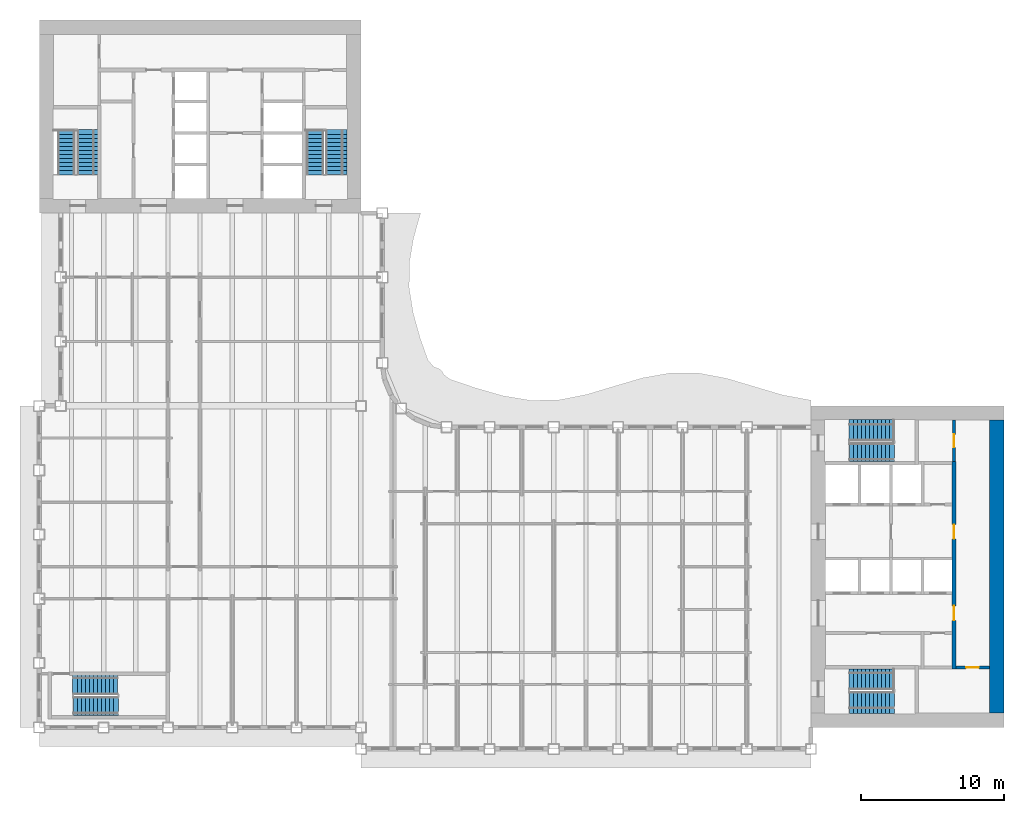
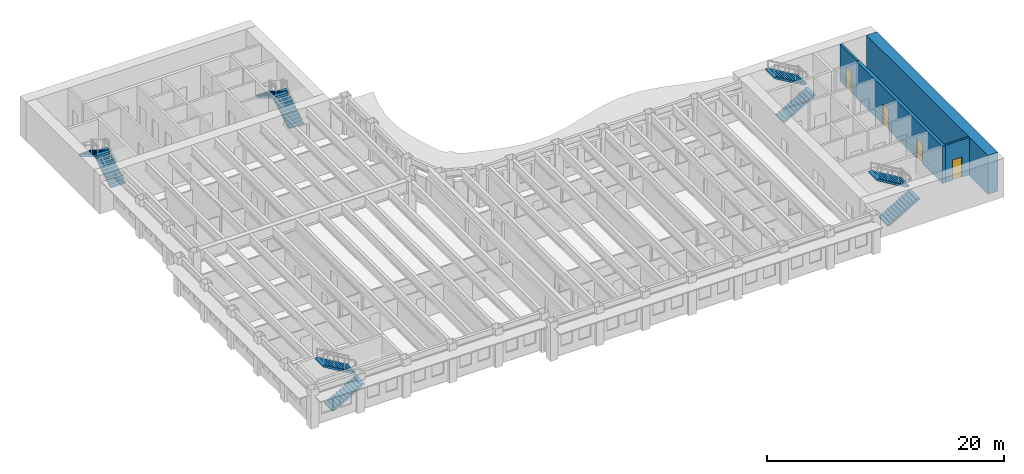
# One storey, part 11 of 17: 10 stair flights, 4 doors, 4 walls, 4 openings, 5 elements without a shape of their own.
"""IFC4 building model written with IfcOpenShell, lengths in metres."""

from ifc_helpers import new_model, si_unit, direction, frame, frame_2d, origin, place, context, subcontext, project, spatial, polyline, rectangle, outline, extrude, material, layer, layer_set, type_object, element, fill, aggregate, save


model = new_model("IFC4")

# Units and contexts
model_context = context("Model", 3, precision=1e-05, world=origin(), true_north=direction((0.0, 1.0)))
body_context = subcontext(model_context, "Body", "Model", "MODEL_VIEW")
ifc_project = project(units=[si_unit("LENGTHUNIT", "METRE"), si_unit("AREAUNIT", "SQUARE_METRE"), si_unit("VOLUMEUNIT", "CUBIC_METRE"), si_unit("PLANEANGLEUNIT", "RADIAN"), si_unit("MASSUNIT", "GRAM", prefix="KILO")], contexts=[model_context])

# Site, building, storey
site_placement = place(None, origin())
site = spatial("IfcSite", under=ifc_project, at=site_placement, CompositionType="ELEMENT")
building_placement = place(site_placement, origin())
building = spatial("IfcBuilding", under=site, at=building_placement, Name="Sennacour Bend Tower", CompositionType="ELEMENT")
storey_placement = place(building_placement, frame((0.0, 0.0, 195.0)))
storey = spatial("IfcBuildingStorey", under=building, at=storey_placement, Name="L44", CompositionType="ELEMENT", Elevation=195.0)

# Wall
ifc_material_1 = material(Name="Concrete C60/75", Category="concrete")
ifc_layer_1 = layer(ifc_material_1, 1.0, Name="Concrete C60/75", Category="concrete")
ifc_layer_set_1 = layer_set([ifc_layer_1], Name="Concrete C60/75")
wall_type_1 = type_object("IfcWallType", Name="Core wall 1000 C60/75", PredefinedType="SHEAR", material=ifc_layer_set_1)
wall_1_placement = place(storey_placement, frame((67.0, 1.0, -0.14990234375), z_axis=(0.0, 0.0, 1.0), x_axis=(0.0, 1.0, 0.0)))
element("IfcWall", 1, at=wall_1_placement, inside=storey, type_object=wall_type_1, Name="Core A wall L44 E", PredefinedType="SHEAR", context=body_context, shape_type="SweptSolid", body=[
    extrude(rectangle(XDim=20.5, YDim=1.0, at=frame_2d((10.25, 0.0))), origin(), (0.0, 0.0, 1.0), 4.0),
])

# Wall, opening, door
ifc_material_2 = material(Name="Fire-rated plasterboard partition on steel studs", Category="steel")
ifc_layer_2 = layer(ifc_material_2, 0.199951171875, Name="Fire-rated plasterboard partition on steel studs", Category="steel")
ifc_layer_set_2 = layer_set([ifc_layer_2], Name="Fire-rated plasterboard partition on steel studs")
wall_type_2 = type_object("IfcWallType", Name="Rated partition 200", PredefinedType="PARTITIONING", material=ifc_layer_set_2)
wall_2_placement = place(storey_placement, frame((64.0, 18.60009765625, 0.0), z_axis=(0.0, 0.0, 1.0), x_axis=(0.0, 1.0, 0.0)))
wall_2 = element("IfcWall", 2, at=wall_2_placement, inside=storey, type_object=wall_type_2, Name="P-L44-W050", PredefinedType="PARTITIONING", context=body_context, shape_type="SweptSolid", body=[
    extrude(rectangle(XDim=2.89990234375, YDim=0.199951171875, at=frame_2d((1.449951171875, 0.0))), origin(), (0.0, 0.0, 1.0), 3.85009765625),
])
opening_1_placement = place(wall_2_placement, frame((1.0, 0.0, 0.0)))
opening_1 = element("IfcOpeningElement", 3, at=opening_1_placement, cuts=wall_2, Name="Opening SV", PredefinedType="OPENING", context=body_context, shape_type="SweptSolid", body=[
    extrude(rectangle(XDim=0.89990234375, YDim=2.10009765625, at=frame_2d((0.449951171875, 1.050048828125))), frame((0.0, 0.10986328125, 0.0), z_axis=(0.0, -1.0, 0.0), x_axis=(1.0, 0.0, 0.0)), (0.0, 0.0, 1.0), 0.219970703125),
])
ifc_material_3 = material(Name="Painted steel", Category="steel")
door_type_1 = type_object("IfcDoorType", Name="DR-SERVICE-900", OperationType="NOTDEFINED", PredefinedType="DOOR", material=ifc_material_3)
door_1_placement = place(opening_1_placement, origin())
door_1 = element("IfcDoor", 4, at=door_1_placement, inside=storey, type_object=door_type_1, Name="Door", OperationType="SINGLE_SWING_LEFT", OverallHeight=2.10009765625, OverallWidth=0.89990234375, PredefinedType="DOOR", context=body_context, shape_type="SweptSolid", body=[
    extrude(rectangle(XDim=0.89990234375, YDim=2.10009765625, at=frame_2d((0.449951171875, 1.050048828125))), frame((0.0, 0.02490234375, 0.0), z_axis=(0.0, -1.0, 0.0), x_axis=(1.0, 0.0, 0.0)), (0.0, 0.0, 1.0), 0.050048828125),
])
fill(opening_1, door_1)

wall_3_placement = place(storey_placement, frame((64.14990234375, 4.199951171875, 0.0), z_axis=(0.0, 0.0, 1.0), x_axis=(1.0, 0.0, 0.0)))
wall_3 = element("IfcWall", 5, at=wall_3_placement, inside=storey, type_object=wall_type_2, Name="P-L44-W057c", PredefinedType="PARTITIONING", context=body_context, shape_type="SweptSolid", body=[
    extrude(rectangle(XDim=2.35009765625, YDim=0.199951171875, at=frame_2d((1.175048828125, 0.0))), origin(), (0.0, 0.0, 1.0), 3.85009765625),
])
opening_2_placement = place(wall_3_placement, frame((0.7001953125, 0.0, 0.0)))
opening_2 = element("IfcOpeningElement", 6, at=opening_2_placement, cuts=wall_3, Name="Opening SV", PredefinedType="OPENING", context=body_context, shape_type="SweptSolid", body=[
    extrude(rectangle(XDim=0.89990234375, YDim=2.10009765625, at=frame_2d((0.449951171875, 1.050048828125))), frame((0.0, 0.10986328125, 0.0), z_axis=(0.0, -1.0, 0.0), x_axis=(1.0, 0.0, 0.0)), (0.0, 0.0, 1.0), 0.219970703125),
])
door_2_placement = place(opening_2_placement, origin())
door_2 = element("IfcDoor", 7, at=door_2_placement, inside=storey, type_object=door_type_1, Name="Door", OperationType="SINGLE_SWING_LEFT", OverallHeight=2.10009765625, OverallWidth=0.89990234375, PredefinedType="DOOR", context=body_context, shape_type="SweptSolid", body=[
    extrude(rectangle(XDim=0.89990234375, YDim=2.10009765625, at=frame_2d((0.449951171875, 1.050048828125))), frame((0.0, 0.02490234375, 0.0), z_axis=(0.0, -1.0, 0.0), x_axis=(1.0, 0.0, 0.0)), (0.0, 0.0, 1.0), 0.050048828125),
])
fill(opening_2, door_2)

# Wall, openings, doors
ifc_layer_3 = layer(ifc_material_1, 0.300048828125, Name="Concrete C60/75", Category="concrete")
ifc_layer_set_3 = layer_set([ifc_layer_3], Name="Concrete C60/75")
wall_type_3 = type_object("IfcWallType", Name="Spine wall 300", PredefinedType="SHEAR", material=ifc_layer_set_3)
wall_4_placement = place(storey_placement, frame((64.0, 4.10009765625, 0.0), z_axis=(0.0, 0.0, 1.0), x_axis=(0.0, 1.0, 0.0)))
wall_4 = element("IfcWall", 8, at=wall_4_placement, inside=storey, type_object=wall_type_3, Name="P-L44-W049", PredefinedType="SHEAR", context=body_context, shape_type="SweptSolid", body=[
    extrude(rectangle(XDim=14.5, YDim=0.300048828125, at=frame_2d((7.25, 0.0))), origin(), (0.0, 0.0, 1.0), 3.85009765625),
])
opening_3_placement = place(wall_4_placement, frame((3.39990234375, 0.0, 0.0)))
opening_3 = element("IfcOpeningElement", 9, at=opening_3_placement, cuts=wall_4, Name="Opening CD2", PredefinedType="OPENING", context=body_context, shape_type="SweptSolid", body=[
    extrude(rectangle(XDim=1.0, YDim=2.10009765625, at=frame_2d((0.5, 1.050048828125))), frame((0.0, 0.16015625, 0.0), z_axis=(0.0, -1.0, 0.0), x_axis=(1.0, 0.0, 0.0)), (0.0, 0.0, 1.0), 0.320068359375),
])
opening_4_placement = place(wall_4_placement, frame((9.099853515625, 0.0, 0.0)))
opening_4 = element("IfcOpeningElement", 10, at=opening_4_placement, cuts=wall_4, Name="Opening CD2", PredefinedType="OPENING", context=body_context, shape_type="SweptSolid", body=[
    extrude(rectangle(XDim=1.0, YDim=2.10009765625, at=frame_2d((0.5, 1.050048828125))), frame((0.0, 0.16015625, 0.0), z_axis=(0.0, -1.0, 0.0), x_axis=(1.0, 0.0, 0.0)), (0.0, 0.0, 1.0), 0.320068359375),
])
door_type_2 = type_object("IfcDoorType", Name="DR-LOBBY-1000", OperationType="NOTDEFINED", PredefinedType="DOOR", material=ifc_material_3)
door_3_placement = place(opening_3_placement, origin())
door_3 = element("IfcDoor", 11, at=door_3_placement, inside=storey, type_object=door_type_2, Name="Door", OperationType="SINGLE_SWING_LEFT", OverallHeight=2.10009765625, OverallWidth=1.0, PredefinedType="DOOR", context=body_context, shape_type="SweptSolid", body=[
    extrude(rectangle(XDim=1.0, YDim=2.10009765625, at=frame_2d((0.5, 1.050048828125))), frame((0.0, 0.02490234375, 0.0), z_axis=(0.0, -1.0, 0.0), x_axis=(1.0, 0.0, 0.0)), (0.0, 0.0, 1.0), 0.050048828125),
])
fill(opening_3, door_3)
door_4_placement = place(opening_4_placement, origin())
door_4 = element("IfcDoor", 12, at=door_4_placement, inside=storey, type_object=door_type_2, Name="Door", OperationType="SINGLE_SWING_RIGHT", OverallHeight=2.10009765625, OverallWidth=1.0, PredefinedType="DOOR", context=body_context, shape_type="SweptSolid", body=[
    extrude(rectangle(XDim=1.0, YDim=2.10009765625, at=frame_2d((0.5, 1.050048828125))), frame((0.0, 0.02490234375, 0.0), z_axis=(0.0, -1.0, 0.0), x_axis=(1.0, 0.0, 0.0)), (0.0, 0.0, 1.0), 0.050048828125),
])
fill(opening_4, door_4)

# Stair, stair flights
ifc_material_4 = material(Name="Concrete C40/50", Category="concrete")
stair_type = type_object("IfcStairType", Name="ST-DOGLEG", PredefinedType="HALF_TURN_STAIR", material=ifc_material_4)
stair_1_placement = place(storey_placement, origin())
stair_1 = element("IfcStair", 13, at=stair_1_placement, inside=storey, type_object=stair_type, Name="L44 Exit stair A1", PredefinedType="HALF_TURN_STAIR")
stair_flight_type = type_object("IfcStairFlightType", Name="SFL-RC", PredefinedType="STRAIGHT", material=ifc_material_4)
stair_flight_1_placement = place(storey_placement, frame((56.699951171875, 1.735107421875, 0.0), z_axis=(0.0, 0.0, 1.0), x_axis=(1.0, 0.0, 0.0)))
stair_flight_1 = element("IfcStairFlight", 14, at=stair_flight_1_placement, type_object=stair_flight_type, Name="SA1 flight 1", NumberOfRisers=12, NumberOfTreads=11, PredefinedType="STRAIGHT", RiserHeight=0.166666667, TreadLength=0.28, context=body_context, shape_type="SweptSolid", body=[
    extrude(outline(polyline([(0.0, 0.0), (0.0, 0.166748046875), (0.280029296875, 0.166748046875), (0.280029296875, 0.333251953125), (0.56005859375, 0.333251953125), (0.56005859375, 0.5), (0.840087890625, 0.5), (0.840087890625, 0.666748046875), (1.1201171875, 0.666748046875), (1.1201171875, 0.833251953125), (1.39990234375, 0.833251953125), (1.39990234375, 1.0), (1.679931640625, 1.0), (1.679931640625, 1.166748046875), (1.9599609375, 1.166748046875), (1.9599609375, 1.333251953125), (2.239990234375, 1.333251953125), (2.239990234375, 1.5), (2.52001953125, 1.5), (2.52001953125, 1.666748046875), (2.800048828125, 1.666748046875), (2.800048828125, 1.833251953125), (3.080078125, 1.833251953125), (3.139892578125, 1.833251953125), (3.139892578125, 1.658935546875), (3.080078125, 1.658935546875), (0.29296875, 0.0), (0.0, 0.0)])), frame((0.0, 0.76513671875, 0.0), z_axis=(0.0, -1.0, 0.0), x_axis=(1.0, 0.0, 0.0)), (0.0, 0.0, 1.0), 1.530029296875),
])
stair_flight_2_placement = place(storey_placement, frame((59.780029296875, 3.37744140625, 2.0), z_axis=(0.0, 0.0, 1.0), x_axis=(-1.0, 0.0, 0.0)))
stair_flight_2 = element("IfcStairFlight", 15, at=stair_flight_2_placement, type_object=stair_flight_type, Name="SA1 flight 2", NumberOfRisers=12, NumberOfTreads=11, PredefinedType="STRAIGHT", RiserHeight=0.166666667, TreadLength=0.28, context=body_context, shape_type="SweptSolid", body=[
    extrude(outline(polyline([(0.0, 0.0), (0.0, 0.166748046875), (0.280029296875, 0.166748046875), (0.280029296875, 0.333251953125), (0.56005859375, 0.333251953125), (0.56005859375, 0.5), (0.840087890625, 0.5), (0.840087890625, 0.666748046875), (1.1201171875, 0.666748046875), (1.1201171875, 0.833251953125), (1.39990234375, 0.833251953125), (1.39990234375, 1.0), (1.679931640625, 1.0), (1.679931640625, 1.166748046875), (1.9599609375, 1.166748046875), (1.9599609375, 1.333251953125), (2.239990234375, 1.333251953125), (2.239990234375, 1.5), (2.52001953125, 1.5), (2.52001953125, 1.666748046875), (2.800048828125, 1.666748046875), (2.800048828125, 1.833251953125), (3.080078125, 1.833251953125), (3.139892578125, 1.833251953125), (3.139892578125, 1.658935546875), (3.080078125, 1.658935546875), (0.29296875, 0.0), (0.0, 0.0)])), frame((0.0, 0.7275390625, 0.0), z_axis=(0.0, -1.0, 0.0), x_axis=(1.0, 0.0, 0.0)), (0.0, 0.0, 1.0), 1.455078125),
])
aggregate(stair_1, [stair_flight_1, stair_flight_2])

stair_2_placement = place(storey_placement, origin())
stair_2 = element("IfcStair", 16, at=stair_2_placement, inside=storey, type_object=stair_type, Name="L44 Exit stair A2", PredefinedType="HALF_TURN_STAIR")
stair_flight_3_placement = place(storey_placement, frame((56.699951171875, 19.24755859375, 0.0), z_axis=(0.0, 0.0, 1.0), x_axis=(1.0, 0.0, 0.0)))
stair_flight_3 = element("IfcStairFlight", 17, at=stair_flight_3_placement, type_object=stair_flight_type, Name="SA2 flight 1", NumberOfRisers=12, NumberOfTreads=11, PredefinedType="STRAIGHT", RiserHeight=0.166666667, TreadLength=0.28, context=body_context, shape_type="SweptSolid", body=[
    extrude(outline(polyline([(0.0, 0.0), (0.0, 0.166748046875), (0.280029296875, 0.166748046875), (0.280029296875, 0.333251953125), (0.56005859375, 0.333251953125), (0.56005859375, 0.5), (0.840087890625, 0.5), (0.840087890625, 0.666748046875), (1.1201171875, 0.666748046875), (1.1201171875, 0.833251953125), (1.39990234375, 0.833251953125), (1.39990234375, 1.0), (1.679931640625, 1.0), (1.679931640625, 1.166748046875), (1.9599609375, 1.166748046875), (1.9599609375, 1.333251953125), (2.239990234375, 1.333251953125), (2.239990234375, 1.5), (2.52001953125, 1.5), (2.52001953125, 1.666748046875), (2.800048828125, 1.666748046875), (2.800048828125, 1.833251953125), (3.080078125, 1.833251953125), (3.139892578125, 1.833251953125), (3.139892578125, 1.658935546875), (3.080078125, 1.658935546875), (0.29296875, 0.0), (0.0, 0.0)])), frame((0.0, 0.65234375, 0.0), z_axis=(0.0, -1.0, 0.0), x_axis=(1.0, 0.0, 0.0)), (0.0, 0.0, 1.0), 1.304931640625),
])
stair_flight_4_placement = place(storey_placement, frame((59.780029296875, 20.7900390625, 2.0), z_axis=(0.0, 0.0, 1.0), x_axis=(-1.0, 0.0, 0.0)))
stair_flight_4 = element("IfcStairFlight", 18, at=stair_flight_4_placement, type_object=stair_flight_type, Name="SA2 flight 2", NumberOfRisers=12, NumberOfTreads=11, PredefinedType="STRAIGHT", RiserHeight=0.166666667, TreadLength=0.28, context=body_context, shape_type="SweptSolid", body=[
    extrude(outline(polyline([(0.0, 0.0), (0.0, 0.166748046875), (0.280029296875, 0.166748046875), (0.280029296875, 0.333251953125), (0.56005859375, 0.333251953125), (0.56005859375, 0.5), (0.840087890625, 0.5), (0.840087890625, 0.666748046875), (1.1201171875, 0.666748046875), (1.1201171875, 0.833251953125), (1.39990234375, 0.833251953125), (1.39990234375, 1.0), (1.679931640625, 1.0), (1.679931640625, 1.166748046875), (1.9599609375, 1.166748046875), (1.9599609375, 1.333251953125), (2.239990234375, 1.333251953125), (2.239990234375, 1.5), (2.52001953125, 1.5), (2.52001953125, 1.666748046875), (2.800048828125, 1.666748046875), (2.800048828125, 1.833251953125), (3.080078125, 1.833251953125), (3.139892578125, 1.833251953125), (3.139892578125, 1.658935546875), (3.080078125, 1.658935546875), (0.29296875, 0.0), (0.0, 0.0)])), frame((0.0, 0.739990234375, 0.0), z_axis=(0.0, -1.0, 0.0), x_axis=(1.0, 0.0, 0.0)), (0.0, 0.0, 1.0), 1.47998046875),
])
aggregate(stair_2, [stair_flight_3, stair_flight_4])

stair_3_placement = place(storey_placement, origin())
stair_3 = element("IfcStair", 19, at=stair_3_placement, inside=storey, type_object=stair_type, Name="L44 Exit stair B1", PredefinedType="HALF_TURN_STAIR")
stair_flight_5_placement = place(storey_placement, frame((3.37744140625, 38.699951171875, 0.0), z_axis=(0.0, 0.0, 1.0), x_axis=(0.0, 1.0, 0.0)))
stair_flight_5 = element("IfcStairFlight", 20, at=stair_flight_5_placement, type_object=stair_flight_type, Name="SB1 flight 1", NumberOfRisers=12, NumberOfTreads=11, PredefinedType="STRAIGHT", RiserHeight=0.166666667, TreadLength=0.28, context=body_context, shape_type="SweptSolid", body=[
    extrude(outline(polyline([(0.0, 0.0), (0.0, 0.166748046875), (0.280029296875, 0.166748046875), (0.280029296875, 0.333251953125), (0.56005859375, 0.333251953125), (0.56005859375, 0.5), (0.840087890625, 0.5), (0.840087890625, 0.666748046875), (1.1201171875, 0.666748046875), (1.1201171875, 0.833251953125), (1.39990234375, 0.833251953125), (1.39990234375, 1.0), (1.679931640625, 1.0), (1.679931640625, 1.166748046875), (1.9599609375, 1.166748046875), (1.9599609375, 1.333251953125), (2.239990234375, 1.333251953125), (2.239990234375, 1.5), (2.52001953125, 1.5), (2.52001953125, 1.666748046875), (2.800048828125, 1.666748046875), (2.800048828125, 1.833251953125), (3.080078125, 1.833251953125), (3.139892578125, 1.833251953125), (3.139892578125, 1.658935546875), (3.080078125, 1.658935546875), (0.29296875, 0.0), (0.0, 0.0)])), frame((0.0, 0.7275390625, 0.0), z_axis=(0.0, -1.0, 0.0), x_axis=(1.0, 0.0, 0.0)), (0.0, 0.0, 1.0), 1.455078125),
])
stair_flight_6_placement = place(storey_placement, frame((1.89990234375, 41.780029296875, 2.0), z_axis=(0.0, 0.0, 1.0), x_axis=(0.0, -1.0, 0.0)))
stair_flight_6 = element("IfcStairFlight", 21, at=stair_flight_6_placement, type_object=stair_flight_type, Name="SB1 flight 2", NumberOfRisers=12, NumberOfTreads=11, PredefinedType="STRAIGHT", RiserHeight=0.166666667, TreadLength=0.28, context=body_context, shape_type="SweptSolid", body=[
    extrude(outline(polyline([(0.0, 0.0), (0.0, 0.166748046875), (0.280029296875, 0.166748046875), (0.280029296875, 0.333251953125), (0.56005859375, 0.333251953125), (0.56005859375, 0.5), (0.840087890625, 0.5), (0.840087890625, 0.666748046875), (1.1201171875, 0.666748046875), (1.1201171875, 0.833251953125), (1.39990234375, 0.833251953125), (1.39990234375, 1.0), (1.679931640625, 1.0), (1.679931640625, 1.166748046875), (1.9599609375, 1.166748046875), (1.9599609375, 1.333251953125), (2.239990234375, 1.333251953125), (2.239990234375, 1.5), (2.52001953125, 1.5), (2.52001953125, 1.666748046875), (2.800048828125, 1.666748046875), (2.800048828125, 1.833251953125), (3.080078125, 1.833251953125), (3.139892578125, 1.833251953125), (3.139892578125, 1.658935546875), (3.080078125, 1.658935546875), (0.29296875, 0.0), (0.0, 0.0)])), frame((0.0, 0.60009765625, 0.0), z_axis=(0.0, -1.0, 0.0), x_axis=(1.0, 0.0, 0.0)), (0.0, 0.0, 1.0), 1.199951171875),
])
aggregate(stair_3, [stair_flight_5, stair_flight_6])

stair_4_placement = place(storey_placement, origin())
stair_4 = element("IfcStair", 22, at=stair_4_placement, inside=storey, type_object=stair_type, Name="L44 Exit stair B2", PredefinedType="HALF_TURN_STAIR")
stair_flight_7_placement = place(storey_placement, frame((20.7900390625, 38.699951171875, 0.0), z_axis=(0.0, 0.0, 1.0), x_axis=(0.0, 1.0, 0.0)))
stair_flight_7 = element("IfcStairFlight", 23, at=stair_flight_7_placement, type_object=stair_flight_type, Name="SB2 flight 1", NumberOfRisers=12, NumberOfTreads=11, PredefinedType="STRAIGHT", RiserHeight=0.166666667, TreadLength=0.28, context=body_context, shape_type="SweptSolid", body=[
    extrude(outline(polyline([(0.0, 0.0), (0.0, 0.166748046875), (0.280029296875, 0.166748046875), (0.280029296875, 0.333251953125), (0.56005859375, 0.333251953125), (0.56005859375, 0.5), (0.840087890625, 0.5), (0.840087890625, 0.666748046875), (1.1201171875, 0.666748046875), (1.1201171875, 0.833251953125), (1.39990234375, 0.833251953125), (1.39990234375, 1.0), (1.679931640625, 1.0), (1.679931640625, 1.166748046875), (1.9599609375, 1.166748046875), (1.9599609375, 1.333251953125), (2.239990234375, 1.333251953125), (2.239990234375, 1.5), (2.52001953125, 1.5), (2.52001953125, 1.666748046875), (2.800048828125, 1.666748046875), (2.800048828125, 1.833251953125), (3.080078125, 1.833251953125), (3.139892578125, 1.833251953125), (3.139892578125, 1.658935546875), (3.080078125, 1.658935546875), (0.29296875, 0.0), (0.0, 0.0)])), frame((0.0, 0.739990234375, 0.0), z_axis=(0.0, -1.0, 0.0), x_axis=(1.0, 0.0, 0.0)), (0.0, 0.0, 1.0), 1.47998046875),
])
stair_flight_8_placement = place(storey_placement, frame((19.24755859375, 41.780029296875, 2.0), z_axis=(0.0, 0.0, 1.0), x_axis=(0.0, -1.0, 0.0)))
stair_flight_8 = element("IfcStairFlight", 24, at=stair_flight_8_placement, type_object=stair_flight_type, Name="SB2 flight 2", NumberOfRisers=12, NumberOfTreads=11, PredefinedType="STRAIGHT", RiserHeight=0.166666667, TreadLength=0.28, context=body_context, shape_type="SweptSolid", body=[
    extrude(outline(polyline([(0.0, 0.0), (0.0, 0.166748046875), (0.280029296875, 0.166748046875), (0.280029296875, 0.333251953125), (0.56005859375, 0.333251953125), (0.56005859375, 0.5), (0.840087890625, 0.5), (0.840087890625, 0.666748046875), (1.1201171875, 0.666748046875), (1.1201171875, 0.833251953125), (1.39990234375, 0.833251953125), (1.39990234375, 1.0), (1.679931640625, 1.0), (1.679931640625, 1.166748046875), (1.9599609375, 1.166748046875), (1.9599609375, 1.333251953125), (2.239990234375, 1.333251953125), (2.239990234375, 1.5), (2.52001953125, 1.5), (2.52001953125, 1.666748046875), (2.800048828125, 1.666748046875), (2.800048828125, 1.833251953125), (3.080078125, 1.833251953125), (3.139892578125, 1.833251953125), (3.139892578125, 1.658935546875), (3.080078125, 1.658935546875), (0.29296875, 0.0), (0.0, 0.0)])), frame((0.0, 0.65234375, 0.0), z_axis=(0.0, -1.0, 0.0), x_axis=(1.0, 0.0, 0.0)), (0.0, 0.0, 1.0), 1.304931640625),
])
aggregate(stair_4, [stair_flight_7, stair_flight_8])

stair_5_placement = place(storey_placement, origin())
stair_5 = element("IfcStair", 25, at=stair_5_placement, inside=storey, type_object=stair_type, Name="L44 Exit stair K1", PredefinedType="HALF_TURN_STAIR")
stair_flight_9_placement = place(storey_placement, frame((2.39990234375, 1.485107421875, 0.0), z_axis=(0.0, 0.0, 1.0), x_axis=(1.0, 0.0, 0.0)))
stair_flight_9 = element("IfcStairFlight", 26, at=stair_flight_9_placement, type_object=stair_flight_type, Name="SK1 flight 1", NumberOfRisers=12, NumberOfTreads=11, PredefinedType="STRAIGHT", RiserHeight=0.166666667, TreadLength=0.28, context=body_context, shape_type="SweptSolid", body=[
    extrude(outline(polyline([(0.0, 0.0), (0.0, 0.166748046875), (0.280029296875, 0.166748046875), (0.280029296875, 0.333251953125), (0.56005859375, 0.333251953125), (0.56005859375, 0.5), (0.840087890625, 0.5), (0.840087890625, 0.666748046875), (1.1201171875, 0.666748046875), (1.1201171875, 0.833251953125), (1.39990234375, 0.833251953125), (1.39990234375, 1.0), (1.679931640625, 1.0), (1.679931640625, 1.166748046875), (1.9599609375, 1.166748046875), (1.9599609375, 1.333251953125), (2.239990234375, 1.333251953125), (2.239990234375, 1.5), (2.52001953125, 1.5), (2.52001953125, 1.666748046875), (2.800048828125, 1.666748046875), (2.800048828125, 1.833251953125), (3.080078125, 1.833251953125), (3.139892578125, 1.833251953125), (3.139892578125, 1.658935546875), (3.080078125, 1.658935546875), (0.29296875, 0.0), (0.0, 0.0)])), frame((0.0, 0.6650390625, 0.0), z_axis=(0.0, -1.0, 0.0), x_axis=(1.0, 0.0, 0.0)), (0.0, 0.0, 1.0), 1.330078125),
])
stair_flight_10_placement = place(storey_placement, frame((5.47998046875, 2.9775390625, 2.0), z_axis=(0.0, 0.0, 1.0), x_axis=(-1.0, 0.0, 0.0)))
stair_flight_10 = element("IfcStairFlight", 27, at=stair_flight_10_placement, type_object=stair_flight_type, Name="SK1 flight 2", NumberOfRisers=12, NumberOfTreads=11, PredefinedType="STRAIGHT", RiserHeight=0.166666667, TreadLength=0.28, context=body_context, shape_type="SweptSolid", body=[
    extrude(outline(polyline([(0.0, 0.0), (0.0, 0.166748046875), (0.280029296875, 0.166748046875), (0.280029296875, 0.333251953125), (0.56005859375, 0.333251953125), (0.56005859375, 0.5), (0.840087890625, 0.5), (0.840087890625, 0.666748046875), (1.1201171875, 0.666748046875), (1.1201171875, 0.833251953125), (1.39990234375, 0.833251953125), (1.39990234375, 1.0), (1.679931640625, 1.0), (1.679931640625, 1.166748046875), (1.9599609375, 1.166748046875), (1.9599609375, 1.333251953125), (2.239990234375, 1.333251953125), (2.239990234375, 1.5), (2.52001953125, 1.5), (2.52001953125, 1.666748046875), (2.800048828125, 1.666748046875), (2.800048828125, 1.833251953125), (3.080078125, 1.833251953125), (3.139892578125, 1.833251953125), (3.139892578125, 1.658935546875), (3.080078125, 1.658935546875), (0.29296875, 0.0), (0.0, 0.0)])), frame((0.0, 0.677490234375, 0.0), z_axis=(0.0, -1.0, 0.0), x_axis=(1.0, 0.0, 0.0)), (0.0, 0.0, 1.0), 1.35498046875),
])
aggregate(stair_5, [stair_flight_9, stair_flight_10])

save(model, "model.ifc")
